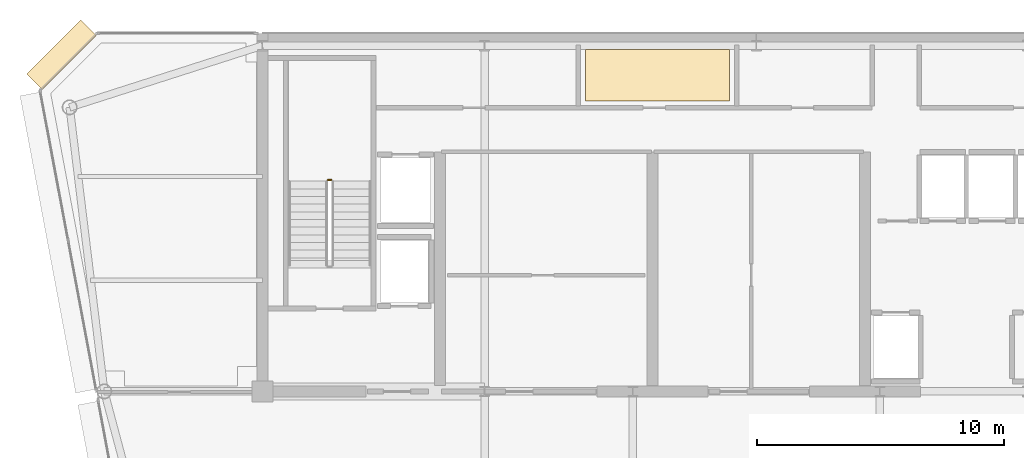
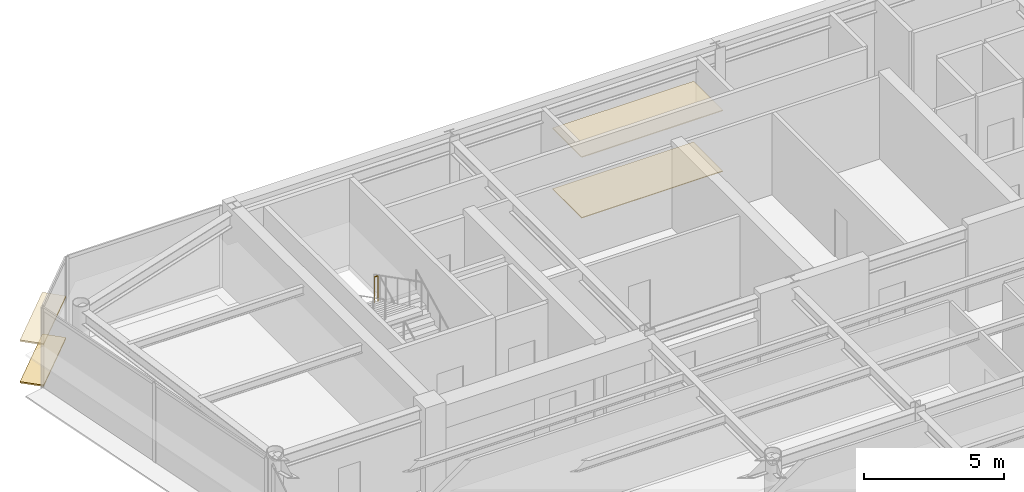
# One storey, part 17 of 19: 4 coverings, 1 railing.
"""IFC4 building model written with IfcOpenShell, lengths in metres."""

from ifc_helpers import new_model, si_unit, direction, frame, origin, origin_2d, place, context, subcontext, project, spatial, polyline, rectangle, circle, outline, extrude, source, transform, mapped, material, layer, layer_set, type_object, element, save


model = new_model("IFC4")

# Units and contexts
model_context = context("Model", 3, precision=1e-05, world=origin(), true_north=direction((0.0, 1.0)))
body_context = subcontext(model_context, "Body", "Model", "MODEL_VIEW")
ifc_project = project(units=[si_unit("LENGTHUNIT", "METRE"), si_unit("AREAUNIT", "SQUARE_METRE"), si_unit("VOLUMEUNIT", "CUBIC_METRE"), si_unit("PLANEANGLEUNIT", "RADIAN"), si_unit("MASSUNIT", "GRAM", prefix="KILO")], contexts=[model_context])

# Site, building, storey
site_placement = place(None, origin())
site = spatial("IfcSite", under=ifc_project, at=site_placement, CompositionType="ELEMENT")
building_placement = place(site_placement, origin())
building = spatial("IfcBuilding", under=site, at=building_placement, Name="Vaeldorn Concourse Tower", CompositionType="ELEMENT")
storey_placement = place(building_placement, frame((0.0, 0.0, 272.60009765625)))
storey = spatial("IfcBuildingStorey", under=building, at=storey_placement, Name="L70", CompositionType="ELEMENT", Elevation=272.60009765625)

# Coverings
ifc_material_1 = material(Name="Acoustic Mineral Fibre Board", Category="gypsum")
ifc_layer_1 = layer(ifc_material_1, 0.0400390625)
ifc_layer_set_1 = layer_set([ifc_layer_1], Name="Acoustic Mineral Fibre Board")
covering_type_1 = type_object("IfcCoveringType", Name="COV-CEIL-ACOUSTIC", PredefinedType="CEILING", material=ifc_layer_set_1)
covering_1_placement = place(storey_placement, frame((0.0, 0.0, 2.64990234375)))
element("IfcCovering", 1, at=covering_1_placement, inside=storey, type_object=covering_type_1, Name="Suspended Acoustic Ceiling L70-1", PredefinedType="CEILING", context=body_context, shape_type="SweptSolid", body=[
    extrude(outline(polyline([(27.080078125, 48.260009765625), (27.080078125, 50.35009765625), (32.919921875, 50.35009765625), (32.919921875, 48.260009765625), (27.080078125, 48.260009765625)])), origin(), (0.0, 0.0, 1.0), 0.0400390625),
])
ifc_material_2 = material(Name="Honed Limestone Terrazzo Flooring", Category="masonry")
ifc_layer_2 = layer(ifc_material_2, 0.0400390625)
ifc_layer_set_2 = layer_set([ifc_layer_2], Name="Honed Limestone Terrazzo Flooring")
covering_type_2 = type_object("IfcCoveringType", Name="COV-FLOOR-STONE", PredefinedType="FLOORING", material=ifc_layer_set_2)
covering_2_placement = place(storey_placement, origin())
element("IfcCovering", 2, at=covering_2_placement, inside=storey, type_object=covering_type_2, Name="Floor Finish Covering L70-1", PredefinedType="FLOORING", context=body_context, shape_type="SweptSolid", body=[
    extrude(outline(polyline([(27.080078125, 48.260009765625), (27.080078125, 50.35009765625), (32.919921875, 50.35009765625), (32.919921875, 48.260009765625), (27.080078125, 48.260009765625)])), origin(), (0.0, 0.0, 1.0), 0.02978515625),
])

# Railing
ifc_material_3 = material(Name="Anodised Bronze Aluminium", Category="aluminium")
railing_type = type_object("IfcRailingType", Name="RL-STAIR-GUARD", PredefinedType="GUARDRAIL", material=ifc_material_3)
railing_placement = place(storey_placement, frame((16.800048828125, 45.06005859375, 1.89990234375)))
element("IfcRailing", 3, at=railing_placement, inside=storey, type_object=railing_type, Name="L70 ST-1 stair guard 2", PredefinedType="GUARDRAIL", context=body_context, shape_type="SweptSolid", body=[
    extrude(circle(Radius=0.02392578125, at=origin_2d()), frame((0.0, 0.0, 1.1259765625), z_axis=(-1.0, 0.0, 0.0), x_axis=(0.0, -1.0, 0.0)), (0.0, 0.0, 1.0), 0.150146484375),
    extrude(circle(Radius=0.02099609375, at=origin_2d()), origin(), (0.0, 0.0, 1.0), 1.101806640625),
    extrude(circle(Radius=0.02099609375, at=origin_2d()), frame((-0.150146484375, 0.0, 0.0)), (0.0, 0.0, 1.0), 1.101806640625),
])

# Coverings
ifc_layer_3 = layer(ifc_material_3, 0.06494140625)
ifc_layer_set_3 = layer_set([ifc_layer_3], Name="Anodised Bronze Aluminium")
covering_type_3 = type_object("IfcCoveringType", Name="SD-BRONZE-SUNSHADE", PredefinedType="USERDEFINED", material=ifc_layer_set_3)
shared_shape = source(origin(), body_context, "Body", "SweptSolid", [
    extrude(rectangle(XDim=3.0927734375, YDim=0.8798828125, at=origin_2d()), origin(), (0.0, 0.0, 1.0), 0.06494140625),
])
for number, where, z_axis, x_axis, name in (
    (4, (5.8671875, 50.1328125, 0.04736328125), (0.0, 0.0, 1.0), (-0.707106781187, -0.707106781187, 0.0), "Horizontal Bronze Sunshade L70-E10.1.1"),
    (5, (5.8671875, 50.1328125, 1.867431640625), (0.0, 0.0, 1.0), (-0.707106781187, -0.707106781187, 0.0), "Horizontal Bronze Sunshade L70-E10.1.2"),
):
    element("IfcCovering", number, at=place(storey_placement, frame(where, z_axis=z_axis, x_axis=x_axis)), inside=storey, type_object=covering_type_3, Name=name, ObjectType="SUNSHADE", PredefinedType="USERDEFINED", context=body_context, shape_type="MappedRepresentation", body=[
        mapped(shared_shape, transform((0.0, 0.0, 0.0), scale=1.0)),
    ])

save(model, "model.ifc")
